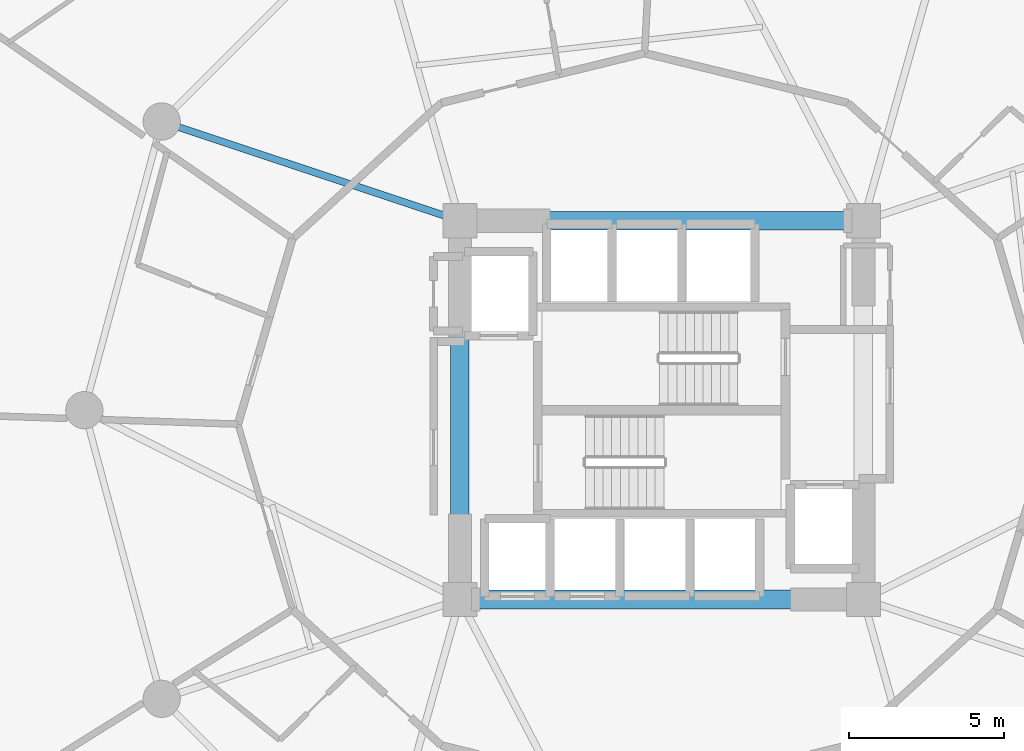
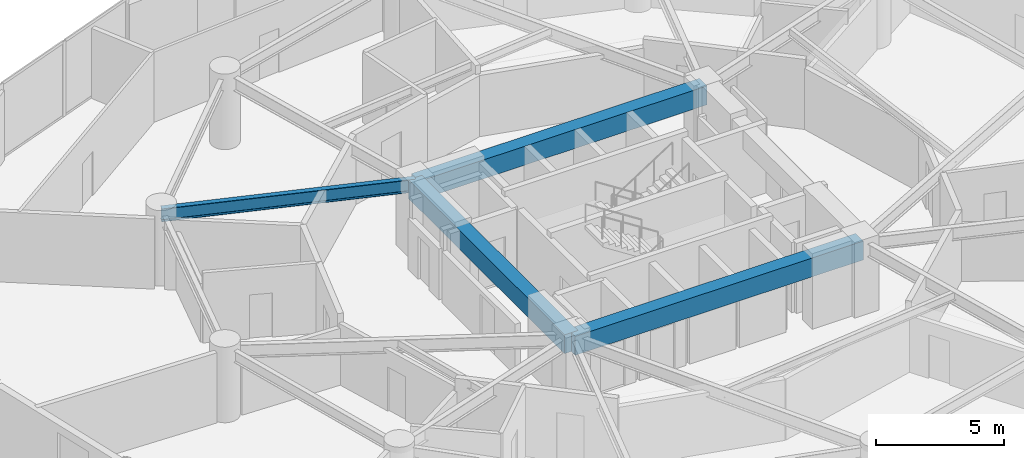
# One storey, part 9 of 26: 4 beams.
"""IFC4 building model written with IfcOpenShell, lengths in metres."""

from ifc_helpers import new_model, si_unit, direction, frame, origin, origin_2d, place, context, subcontext, project, spatial, rectangle, i_section, extrude, material, material_profile, profile_set, type_object, element, save


model = new_model("IFC4")

# Units and contexts
model_context = context("Model", 3, precision=1e-05, world=origin(), true_north=direction((0.0, 1.0)))
body_context = subcontext(model_context, "Body", "Model", "MODEL_VIEW")
ifc_project = project(units=[si_unit("LENGTHUNIT", "METRE"), si_unit("AREAUNIT", "SQUARE_METRE"), si_unit("VOLUMEUNIT", "CUBIC_METRE"), si_unit("PLANEANGLEUNIT", "RADIAN"), si_unit("MASSUNIT", "GRAM", prefix="KILO")], contexts=[model_context])

# Site, building, storey
site_placement = place(None, origin())
site = spatial("IfcSite", under=ifc_project, at=site_placement, CompositionType="ELEMENT")
building_placement = place(site_placement, origin())
building = spatial("IfcBuilding", under=site, at=building_placement, Name="Solvirekh Grand Hotel", CompositionType="ELEMENT")
storey_placement = place(building_placement, frame((0.0, 0.0, 71.60009765625)))
storey = spatial("IfcBuildingStorey", under=building, at=storey_placement, Name="L17", CompositionType="ELEMENT", Elevation=71.60009765625)

# Beams
ifc_material_1 = material(Name="Concrete C50/60", Category="concrete")
ifc_material_profile_1 = material_profile(ifc_material_1, rectangle(XDim=0.60009765625, YDim=0.89990234375, at=origin_2d()), Name="RC BEAM 600X900")
ifc_profile_set_1 = profile_set([ifc_material_profile_1], Name="Concrete C50/60")
beam_type_1 = type_object("IfcBeamType", Name="Beam_Core_RC900", PredefinedType="BEAM", material=ifc_profile_set_1)
for number, where, z_axis, x_axis, name in (
    (1, (-6.5, -6.10009765625, 2.889892578125), (1.0, 0.0, 0.0), (0.0, 1.0, 0.0), "L17 core coupling ring beam 1"),
    (2, (6.5, 6.10009765625, 2.889892578125), (-1.0, 0.0, 0.0), (0.0, -1.0, 0.0), "L17 core coupling ring beam 3"),
):
    element("IfcBeam", number, at=place(storey_placement, frame(where, z_axis=z_axis, x_axis=x_axis)), inside=storey, type_object=beam_type_1, Name=name, PredefinedType="BEAM", context=body_context, shape_type="SweptSolid", body=[
        extrude(rectangle(XDim=0.60009765625, YDim=0.89990234375, at=origin_2d()), origin(), (0.0, 0.0, 1.0), 13.0),
    ])
beam_1_placement = place(storey_placement, frame((-6.5, 6.10009765625, 2.889892578125), z_axis=(0.0, -1.0, 0.0), x_axis=(1.0, 0.0, 0.0)))
element("IfcBeam", 3, at=beam_1_placement, inside=storey, type_object=beam_type_1, Name="L17 core coupling ring beam 4", PredefinedType="BEAM", context=body_context, shape_type="SweptSolid", body=[
    extrude(rectangle(XDim=0.60009765625, YDim=0.89990234375, at=origin_2d()), origin(), (0.0, 0.0, 1.0), 12.2001953125),
])
ifc_material_2 = material(Name="Steel S355", Category="steel")
ifc_material_profile_2 = material_profile(ifc_material_2, i_section(OverallWidth=0.22802734375, OverallDepth=0.616943359375, WebThickness=0.012939453125, FlangeThickness=0.02001953125, FilletRadius=0.014892578125, at=origin_2d()), Name="W610X140")
ifc_profile_set_2 = profile_set([ifc_material_profile_2], Name="Steel S355")
beam_type_2 = type_object("IfcBeamType", Name="Beam_Radial_W610", PredefinedType="BEAM", material=ifc_profile_set_2)
beam_2_placement = place(storey_placement, frame((-6.5, 6.10009765625, 3.031982421875), z_axis=(-0.948762825819, 0.315989082635, 0.0), x_axis=(-0.315989082635, -0.948762825819, 0.0)))
element("IfcBeam", 4, at=beam_2_placement, inside=storey, type_object=beam_type_2, Name="L17 radial floor beam R06", PredefinedType="BEAM", context=body_context, shape_type="SweptSolid", body=[
    extrude(i_section(OverallWidth=0.22802734375, OverallDepth=0.616943359375, WebThickness=0.012939453125, FlangeThickness=0.02001953125, FilletRadius=0.014892578125, at=origin_2d()), origin(), (0.0, 0.0, 1.0), 10.126708984375),
])

save(model, "model.ifc")
